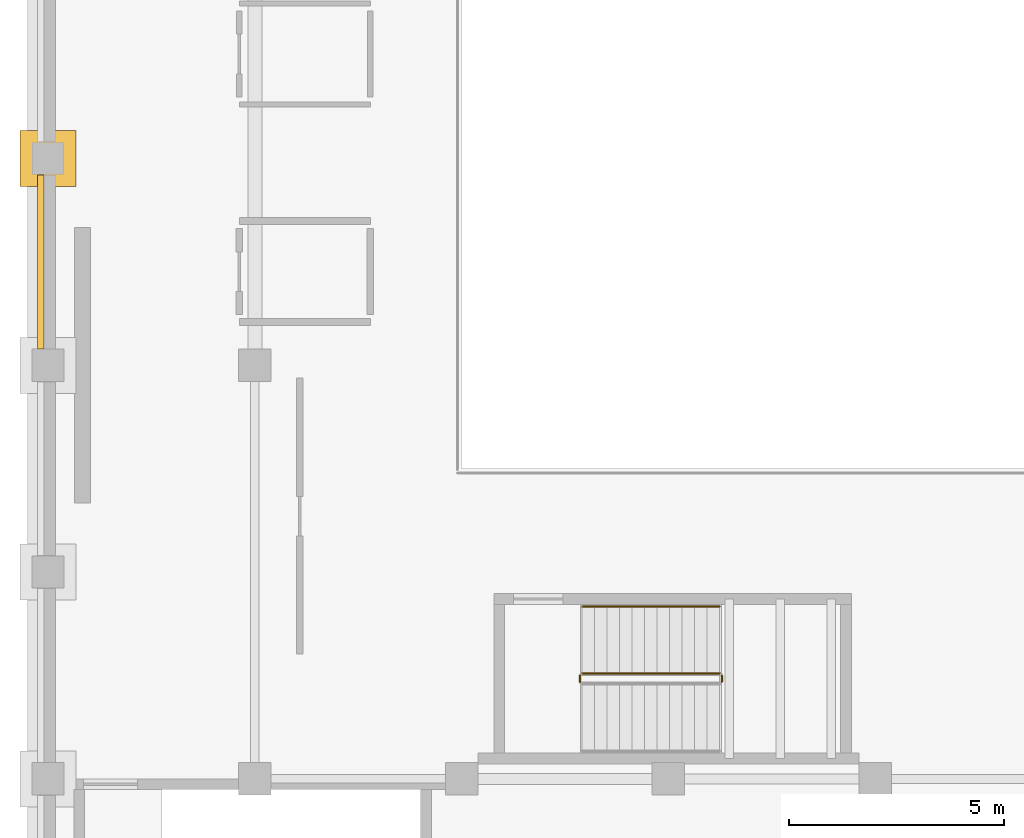
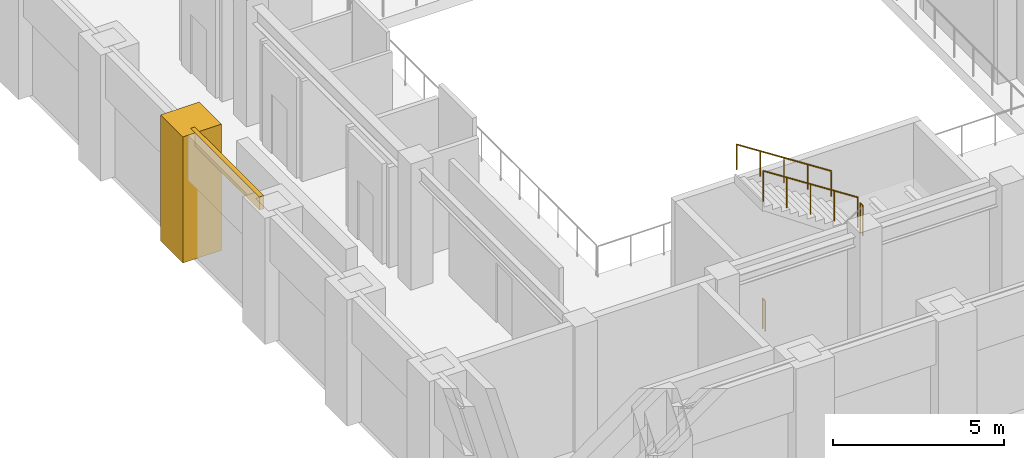
# One storey, part 37 of 46: 4 railings, 2 coverings.
"""IFC4 building model written with IfcOpenShell, lengths in metres."""

from ifc_helpers import new_model, si_unit, direction, frame, origin, origin_2d, place, context, subcontext, project, spatial, polyline, circle, outline, extrude, material, layer, layer_set, type_object, element, save


model = new_model("IFC4")

# Units and contexts
model_context = context("Model", 3, precision=1e-05, world=origin(), true_north=direction((0.0, 1.0)))
body_context = subcontext(model_context, "Body", "Model", "MODEL_VIEW")
ifc_project = project(units=[si_unit("LENGTHUNIT", "METRE"), si_unit("AREAUNIT", "SQUARE_METRE"), si_unit("VOLUMEUNIT", "CUBIC_METRE"), si_unit("PLANEANGLEUNIT", "RADIAN"), si_unit("MASSUNIT", "GRAM", prefix="KILO")], contexts=[model_context])

# Site, building, storey
site_placement = place(None, origin())
site = spatial("IfcSite", under=ifc_project, at=site_placement, CompositionType="ELEMENT")
building_placement = place(site_placement, origin())
building = spatial("IfcBuilding", under=site, at=building_placement, Name="Mavantir Sound Aquarium", CompositionType="ELEMENT")
storey_placement = place(building_placement, frame((0.0, 0.0, 15.300048828125)))
storey = spatial("IfcBuildingStorey", under=building, at=storey_placement, Name="L03", CompositionType="ELEMENT", Elevation=15.300048828125)

# Coverings
ifc_material_1 = material(Name="Honed Coral-Limestone & Glazed Terracotta Rainscreen Cladding", Category="masonry")
ifc_layer = layer(ifc_material_1, 0.06005859375, Name="Honed Coral-Limestone & Glazed Terracotta Rainscreen Cladding")
ifc_layer_set = layer_set([ifc_layer], Name="Honed Coral-Limestone & Glazed Terracotta Rainscreen Cladding")
covering_type = type_object("IfcCoveringType", Name="COV-CLAD-TC", PredefinedType="CLADDING", material=ifc_layer_set)
covering_1_placement = place(storey_placement, frame((0.0, 0.0, 4.02490234375)))
element("IfcCovering", 1, at=covering_1_placement, inside=storey, type_object=covering_type, Name="L03 Postmodern coral-limestone spandrel frieze 418", PredefinedType="CLADDING", context=body_context, shape_type="SweptSolid", body=[
    extrude(outline(polyline([(-0.090087890625, 59.616943359375), (-0.090087890625, 55.5830078125), (-0.239990234375, 55.5830078125), (-0.239990234375, 59.616943359375), (-0.090087890625, 59.616943359375)])), origin(), (0.0, 0.0, 1.0), 0.47509765625),
])
covering_2_placement = place(storey_placement, origin())
element("IfcCovering", 2, at=covering_2_placement, inside=storey, type_object=covering_type, Name="L03 Postmodern coral-limestone pilaster casing 20", PredefinedType="CLADDING", context=body_context, shape_type="SweptSolid", body=[
    extrude(outline(polyline([(-0.64990234375, 59.35009765625), (0.64990234375, 59.35009765625), (0.64990234375, 60.64990234375), (-0.64990234375, 60.64990234375), (-0.64990234375, 59.35009765625)])), origin(), (0.0, 0.0, 1.0), 4.5),
])

# Railings
ifc_material_2 = material(Name="Stainless Steel 316 and Laminated Glass Guardrail", Category="steel")
railing_type_1 = type_object("IfcRailingType", Name="RL-GUARD-110", PredefinedType="GUARDRAIL", material=ifc_material_2)
railing_1_placement = place(storey_placement, frame((15.639892578125, 47.85009765625, 2.25)))
element("IfcRailing", 3, at=railing_1_placement, inside=storey, type_object=railing_type_1, Name="L03 ST9 stair guard 2", PredefinedType="GUARDRAIL", context=body_context, shape_type="SweptSolid", body=[
    extrude(circle(Radius=0.02392578125, at=origin_2d()), frame((0.0, 0.0, 1.076171875), z_axis=(0.0, 1.0, 0.0), x_axis=(-1.0, 0.0, 0.0)), (0.0, 0.0, 1.0), 0.14990234375),
    extrude(circle(Radius=0.02099609375, at=origin_2d()), origin(), (0.0, 0.0, 1.0), 1.052001953125),
    extrude(circle(Radius=0.02099609375, at=origin_2d()), frame((0.0, 0.14990234375, 0.0)), (0.0, 0.0, 1.0), 1.052001953125),
])
railing_2_placement = place(storey_placement, frame((15.590087890625, 48.050048828125, 2.4375)))
element("IfcRailing", 4, at=railing_2_placement, inside=storey, type_object=railing_type_1, Name="L03 ST9 stair guard 3", PredefinedType="GUARDRAIL", context=body_context, shape_type="SweptSolid", body=[
    extrude(circle(Radius=0.02392578125, at=origin_2d()), frame((0.0, 0.0, 1.076171875), z_axis=(-0.839778728322, 0.0, 0.542928805147), x_axis=(0.0, -1.0, 0.0)), (0.0, 0.0, 1.0), 3.798828125),
    extrude(circle(Radius=0.02099609375, at=origin_2d()), origin(), (0.0, 0.0, 1.0), 1.052001953125),
    extrude(circle(Radius=0.02099609375, at=origin_2d()), frame((-0.797607421875, 0.0, 0.515625)), (0.0, 0.0, 1.0), 1.052001953125),
    extrude(circle(Radius=0.02099609375, at=origin_2d()), frame((-1.59521484375, 0.0, 1.03125)), (0.0, 0.0, 1.0), 1.052001953125),
    extrude(circle(Radius=0.02099609375, at=origin_2d()), frame((-2.392578125, 0.0, 1.546875)), (0.0, 0.0, 1.0), 1.052001953125),
    extrude(circle(Radius=0.02099609375, at=origin_2d()), frame((-3.190185546875, 0.0, 2.0625)), (0.0, 0.0, 1.0), 1.052001953125),
])
railing_3_placement = place(storey_placement, frame((12.35009765625, 47.85009765625, 0.0)))
element("IfcRailing", 5, at=railing_3_placement, inside=storey, type_object=railing_type_1, Name="L03 ST9 stair guard 4", PredefinedType="GUARDRAIL", context=body_context, shape_type="SweptSolid", body=[
    extrude(circle(Radius=0.02392578125, at=origin_2d()), frame((0.0, 0.0, 1.076171875), z_axis=(0.0, 1.0, 0.0), x_axis=(-1.0, 0.0, 0.0)), (0.0, 0.0, 1.0), 0.14990234375),
    extrude(circle(Radius=0.02099609375, at=origin_2d()), origin(), (0.0, 0.0, 1.0), 1.052001953125),
    extrude(circle(Radius=0.02099609375, at=origin_2d()), frame((0.0, 0.14990234375, 0.0)), (0.0, 0.0, 1.0), 1.052001953125),
])
ifc_material_3 = material(Name="Brushed Stainless Steel 316 Handrail", Category="steel")
railing_type_2 = type_object("IfcRailingType", Name="RL-HR-90", PredefinedType="HANDRAIL", material=ifc_material_3)
railing_4_placement = place(storey_placement, frame((15.590087890625, 49.60009765625, 2.62255859375)))
element("IfcRailing", 6, at=railing_4_placement, inside=storey, type_object=railing_type_2, Name="L03 ST9 stair handrail 2", PredefinedType="HANDRAIL", context=body_context, shape_type="SweptSolid", body=[
    extrude(circle(Radius=0.02392578125, at=origin_2d()), frame((0.0, 0.0, 0.89111328125), z_axis=(-0.839778728322, 0.0, 0.542928805147), x_axis=(0.0, -1.0, 0.0)), (0.0, 0.0, 1.0), 3.798828125),
    extrude(circle(Radius=0.02099609375, at=origin_2d()), origin(), (0.0, 0.0, 1.0), 0.866943359375),
    extrude(circle(Radius=0.02099609375, at=origin_2d()), frame((-0.797607421875, 0.0, 0.515625)), (0.0, 0.0, 1.0), 0.866943359375),
    extrude(circle(Radius=0.02099609375, at=origin_2d()), frame((-1.59521484375, 0.0, 1.03125)), (0.0, 0.0, 1.0), 0.866943359375),
    extrude(circle(Radius=0.02099609375, at=origin_2d()), frame((-2.392578125, 0.0, 1.546875)), (0.0, 0.0, 1.0), 0.866943359375),
    extrude(circle(Radius=0.02099609375, at=origin_2d()), frame((-3.190185546875, 0.0, 2.0625)), (0.0, 0.0, 1.0), 0.866943359375),
])

save(model, "model.ifc")
